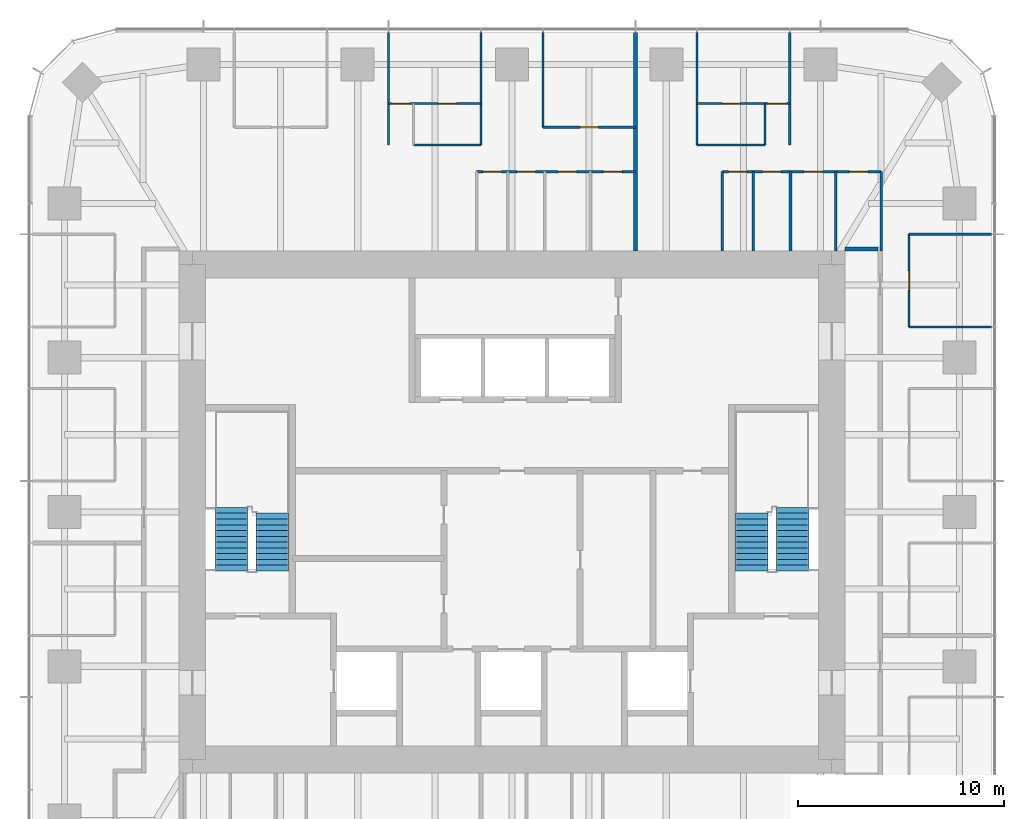
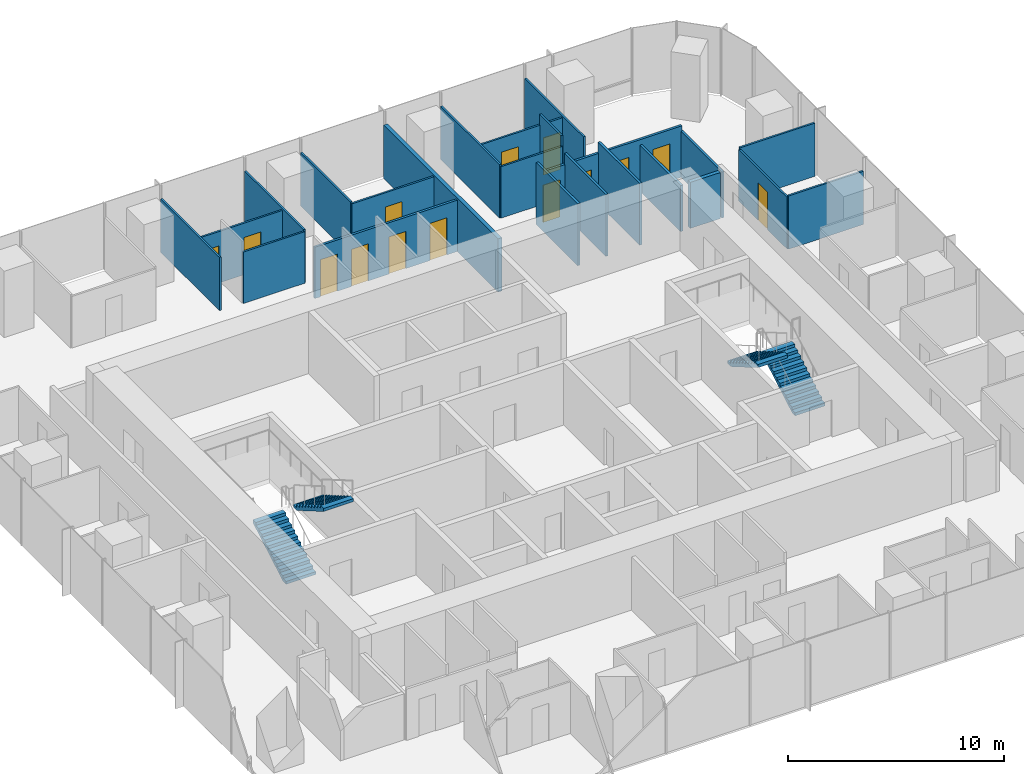
# One storey, part 11 of 12: 23 walls, 14 doors, 4 stair flights, 14 openings, 2 elements without a shape of their own.
"""IFC4 building model written with IfcOpenShell, lengths in metres."""

from ifc_helpers import new_model, si_unit, direction, frame, frame_2d, origin, place, context, subcontext, project, spatial, polyline, rectangle, outline, extrude, material, layer, layer_set, type_object, element, fill, aggregate, save


model = new_model("IFC4")

# Units and contexts
model_context = context("Model", 3, precision=1e-05, world=origin(), true_north=direction((0.0, 1.0)))
body_context = subcontext(model_context, "Body", "Model", "MODEL_VIEW")
ifc_project = project(units=[si_unit("LENGTHUNIT", "METRE"), si_unit("AREAUNIT", "SQUARE_METRE"), si_unit("VOLUMEUNIT", "CUBIC_METRE"), si_unit("PLANEANGLEUNIT", "RADIAN"), si_unit("MASSUNIT", "GRAM", prefix="KILO")], contexts=[model_context])

# Site, building, storey
site_placement = place(None, origin())
site = spatial("IfcSite", under=ifc_project, at=site_placement, CompositionType="ELEMENT")
building_placement = place(site_placement, origin())
building = spatial("IfcBuilding", under=site, at=building_placement, Name="Khuree Lantern Residences", CompositionType="ELEMENT")
storey_placement = place(building_placement, frame((0.0, 0.0, 323.25)))
storey = spatial("IfcBuildingStorey", under=building, at=storey_placement, Name="L81", CompositionType="ELEMENT", Elevation=323.25)

# Wall, openings, doors
ifc_material_1 = material(Name="Moisture-resistant gypsum board on steel studs", Category="steel")
ifc_layer_1 = layer(ifc_material_1, 0.125)
ifc_layer_set_1 = layer_set([ifc_layer_1], Name="BATHROOM WALL BTW125")
wall_type_1 = type_object("IfcWallType", Name="BATHROOM WALL BTW125", PredefinedType="PARTITIONING", material=ifc_layer_set_1)
wall_1_placement = place(storey_placement, frame((17.89990234375, 16.496337890625, 0.0), z_axis=(0.0, 0.0, 1.0), x_axis=(-1.0, 0.0, 0.0)))
wall_1 = element("IfcWall", 1, at=wall_1_placement, inside=storey, type_object=wall_type_1, Name="L81 BATHROOM WALL 01", PredefinedType="PARTITIONING", context=body_context, shape_type="SweptSolid", body=[
    extrude(rectangle(XDim=7.699951171875, YDim=0.125, at=frame_2d((3.85009765625, 0.0))), origin(), (0.0, 0.0, 1.0), 2.89990234375),
])
opening_1_placement = place(wall_1_placement, frame((0.64990234375, 0.0, 0.0)))
opening_1 = element("IfcOpeningElement", 2, at=opening_1_placement, cuts=wall_1, Name="Opening 81-026", PredefinedType="OPENING", context=body_context, shape_type="SweptSolid", body=[
    extrude(rectangle(XDim=0.89990234375, YDim=2.10009765625, at=frame_2d((0.449951171875, 1.050048828125))), frame((0.0, 0.072509765625, 0.0), z_axis=(0.0, -1.0, 0.0), x_axis=(1.0, 0.0, 0.0)), (0.0, 0.0, 1.0), 0.14501953125),
])
opening_2_placement = place(wall_1_placement, frame((2.85009765625, 0.0, 0.0)))
opening_2 = element("IfcOpeningElement", 3, at=opening_2_placement, cuts=wall_1, Name="Opening 81-027", PredefinedType="OPENING", context=body_context, shape_type="SweptSolid", body=[
    extrude(rectangle(XDim=0.89990234375, YDim=2.10009765625, at=frame_2d((0.449951171875, 1.050048828125))), frame((0.0, 0.072509765625, 0.0), z_axis=(0.0, -1.0, 0.0), x_axis=(1.0, 0.0, 0.0)), (0.0, 0.0, 1.0), 0.14501953125),
])
opening_3_placement = place(wall_1_placement, frame((4.85009765625, 0.0, 0.0)))
opening_3 = element("IfcOpeningElement", 4, at=opening_3_placement, cuts=wall_1, Name="Opening 81-028", PredefinedType="OPENING", context=body_context, shape_type="SweptSolid", body=[
    extrude(rectangle(XDim=0.89990234375, YDim=2.10009765625, at=frame_2d((0.449951171875, 1.050048828125))), frame((0.0, 0.072509765625, 0.0), z_axis=(0.0, -1.0, 0.0), x_axis=(1.0, 0.0, 0.0)), (0.0, 0.0, 1.0), 0.14501953125),
])
opening_4_placement = place(wall_1_placement, frame((6.5, 0.0, 0.0)))
opening_4 = element("IfcOpeningElement", 5, at=opening_4_placement, cuts=wall_1, Name="Opening 81-029", PredefinedType="OPENING", context=body_context, shape_type="SweptSolid", body=[
    extrude(rectangle(XDim=0.89990234375, YDim=2.10009765625, at=frame_2d((0.449951171875, 1.050048828125))), frame((0.0, 0.072509765625, 0.0), z_axis=(0.0, -1.0, 0.0), x_axis=(1.0, 0.0, 0.0)), (0.0, 0.0, 1.0), 0.14501953125),
])
ifc_material_2 = material(Name="Timber door leaf in hardwood frame", Category="wood")
door_type_1 = type_object("IfcDoorType", Name="BATHROOM DOOR 900X2100", OperationType="SINGLE_SWING_LEFT", PredefinedType="DOOR", material=ifc_material_2)
door_1_placement = place(opening_1_placement, origin())
door_1 = element("IfcDoor", 6, at=door_1_placement, inside=storey, type_object=door_type_1, Name="Bathroom door 81-026", OperationType="SINGLE_SWING_LEFT", OverallHeight=2.10009765625, OverallWidth=0.89990234375, PredefinedType="DOOR", context=body_context, shape_type="SweptSolid", body=[
    extrude(rectangle(XDim=0.89990234375, YDim=2.10009765625, at=frame_2d((0.449951171875, 1.050048828125))), frame((0.0, 0.02490234375, 0.0), z_axis=(0.0, -1.0, 0.0), x_axis=(1.0, 0.0, 0.0)), (0.0, 0.0, 1.0), 0.050048828125),
])
fill(opening_1, door_1)
door_2_placement = place(opening_2_placement, origin())
door_2 = element("IfcDoor", 7, at=door_2_placement, inside=storey, type_object=door_type_1, Name="Bathroom door 81-027", OperationType="SINGLE_SWING_LEFT", OverallHeight=2.10009765625, OverallWidth=0.89990234375, PredefinedType="DOOR", context=body_context, shape_type="SweptSolid", body=[
    extrude(rectangle(XDim=0.89990234375, YDim=2.10009765625, at=frame_2d((0.449951171875, 1.050048828125))), frame((0.0, 0.02490234375, 0.0), z_axis=(0.0, -1.0, 0.0), x_axis=(1.0, 0.0, 0.0)), (0.0, 0.0, 1.0), 0.050048828125),
])
fill(opening_2, door_2)
door_type_2 = type_object("IfcDoorType", Name="DOOR 900X2100", OperationType="SINGLE_SWING_LEFT", PredefinedType="DOOR", material=ifc_material_2)
door_3_placement = place(opening_3_placement, origin())
door_3 = element("IfcDoor", 8, at=door_3_placement, inside=storey, type_object=door_type_2, Name="Store door 81-028", OperationType="SINGLE_SWING_LEFT", OverallHeight=2.10009765625, OverallWidth=0.89990234375, PredefinedType="DOOR", context=body_context, shape_type="SweptSolid", body=[
    extrude(rectangle(XDim=0.89990234375, YDim=2.10009765625, at=frame_2d((0.449951171875, 1.050048828125))), frame((0.0, 0.02490234375, 0.0), z_axis=(0.0, -1.0, 0.0), x_axis=(1.0, 0.0, 0.0)), (0.0, 0.0, 1.0), 0.050048828125),
])
fill(opening_3, door_3)
door_type_3 = type_object("IfcDoorType", Name="WC DOOR 900X2100", OperationType="SINGLE_SWING_LEFT", PredefinedType="DOOR", material=ifc_material_2)
door_4_placement = place(opening_4_placement, origin())
door_4 = element("IfcDoor", 9, at=door_4_placement, inside=storey, type_object=door_type_3, Name="WC door 81-029", OperationType="SINGLE_SWING_LEFT", OverallHeight=2.10009765625, OverallWidth=0.89990234375, PredefinedType="DOOR", context=body_context, shape_type="SweptSolid", body=[
    extrude(rectangle(XDim=0.89990234375, YDim=2.10009765625, at=frame_2d((0.449951171875, 1.050048828125))), frame((0.0, 0.02490234375, 0.0), z_axis=(0.0, -1.0, 0.0), x_axis=(1.0, 0.0, 0.0)), (0.0, 0.0, 1.0), 0.050048828125),
])
fill(opening_4, door_4)

# Walls
for number, where, z_axis, x_axis, name in (
    (10, (17.89990234375, 12.64990234375, 0.0), (0.0, 0.0, 1.0), (0.0, 1.0, 0.0), "L81 BATHROOM WALL 01"),
    (11, (15.699951171875, 12.64990234375, 0.0), (0.0, 0.0, 1.0), (0.0, 1.0, 0.0), "L81 BATHROOM WALL 01"),
):
    element("IfcWall", number, at=place(storey_placement, frame(where, z_axis=z_axis, x_axis=x_axis)), inside=storey, type_object=wall_type_1, Name=name, PredefinedType="PARTITIONING", context=body_context, shape_type="SweptSolid", body=[
        extrude(rectangle(XDim=3.846435546875, YDim=0.125, at=frame_2d((1.92333984375, 0.0))), origin(), (0.0, 0.0, 1.0), 2.60009765625),
    ])
for number, where, z_axis, x_axis, name in (
    (12, (13.5, 12.64990234375, 0.0), (0.0, 0.0, 1.0), (0.0, 1.0, 0.0), "L81 BATHROOM WALL 01"),
    (13, (11.699951171875, 12.64990234375, 0.0), (0.0, 0.0, 1.0), (0.0, 1.0, 0.0), "L81 BATHROOM WALL 01"),
    (14, (10.199951171875, 12.64990234375, 0.0), (0.0, 0.0, 1.0), (0.0, 1.0, 0.0), "L81 BATHROOM WALL 01"),
):
    element("IfcWall", number, at=place(storey_placement, frame(where, z_axis=z_axis, x_axis=x_axis)), inside=storey, type_object=wall_type_1, Name=name, PredefinedType="PARTITIONING", context=body_context, shape_type="SweptSolid", body=[
        extrude(rectangle(XDim=3.846435546875, YDim=0.125, at=frame_2d((1.92333984375, 0.0))), origin(), (0.0, 0.0, 1.0), 3.5),
    ])

# Wall, openings, doors
wall_2_placement = place(storey_placement, frame((5.98388671875, 16.496337890625, 0.0), z_axis=(0.0, 0.0, 1.0), x_axis=(-1.0, 0.0, 0.0)))
wall_2 = element("IfcWall", 15, at=wall_2_placement, inside=storey, type_object=wall_type_1, Name="L81 BATHROOM WALL 02", PredefinedType="PARTITIONING", context=body_context, shape_type="SweptSolid", body=[
    extrude(rectangle(XDim=7.699951171875, YDim=0.125, at=frame_2d((3.85009765625, 0.0))), origin(), (0.0, 0.0, 1.0), 2.89990234375),
])
opening_5_placement = place(wall_2_placement, frame((0.64990234375, 0.0, 0.0)))
opening_5 = element("IfcOpeningElement", 16, at=opening_5_placement, cuts=wall_2, Name="Opening 81-037", PredefinedType="OPENING", context=body_context, shape_type="SweptSolid", body=[
    extrude(rectangle(XDim=0.89990234375, YDim=2.10009765625, at=frame_2d((0.449951171875, 1.050048828125))), frame((0.0, 0.072509765625, 0.0), z_axis=(0.0, -1.0, 0.0), x_axis=(1.0, 0.0, 0.0)), (0.0, 0.0, 1.0), 0.14501953125),
])
opening_6_placement = place(wall_2_placement, frame((2.85009765625, 0.0, 0.0)))
opening_6 = element("IfcOpeningElement", 17, at=opening_6_placement, cuts=wall_2, Name="Opening 81-038", PredefinedType="OPENING", context=body_context, shape_type="SweptSolid", body=[
    extrude(rectangle(XDim=0.89990234375, YDim=2.10009765625, at=frame_2d((0.449951171875, 1.050048828125))), frame((0.0, 0.072509765625, 0.0), z_axis=(0.0, -1.0, 0.0), x_axis=(1.0, 0.0, 0.0)), (0.0, 0.0, 1.0), 0.14501953125),
])
opening_7_placement = place(wall_2_placement, frame((4.85009765625, 0.0, 0.0)))
opening_7 = element("IfcOpeningElement", 18, at=opening_7_placement, cuts=wall_2, Name="Opening 81-039", PredefinedType="OPENING", context=body_context, shape_type="SweptSolid", body=[
    extrude(rectangle(XDim=0.89990234375, YDim=2.10009765625, at=frame_2d((0.449951171875, 1.050048828125))), frame((0.0, 0.072509765625, 0.0), z_axis=(0.0, -1.0, 0.0), x_axis=(1.0, 0.0, 0.0)), (0.0, 0.0, 1.0), 0.14501953125),
])
opening_8_placement = place(wall_2_placement, frame((6.5, 0.0, 0.0)))
opening_8 = element("IfcOpeningElement", 19, at=opening_8_placement, cuts=wall_2, Name="Opening 81-040", PredefinedType="OPENING", context=body_context, shape_type="SweptSolid", body=[
    extrude(rectangle(XDim=0.89990234375, YDim=2.10009765625, at=frame_2d((0.449951171875, 1.050048828125))), frame((0.0, 0.072509765625, 0.0), z_axis=(0.0, -1.0, 0.0), x_axis=(1.0, 0.0, 0.0)), (0.0, 0.0, 1.0), 0.14501953125),
])
door_5_placement = place(opening_5_placement, origin())
door_5 = element("IfcDoor", 20, at=door_5_placement, inside=storey, type_object=door_type_1, Name="Bathroom door 81-037", OperationType="SINGLE_SWING_LEFT", OverallHeight=2.10009765625, OverallWidth=0.89990234375, PredefinedType="DOOR", context=body_context, shape_type="SweptSolid", body=[
    extrude(rectangle(XDim=0.89990234375, YDim=2.10009765625, at=frame_2d((0.449951171875, 1.050048828125))), frame((0.0, 0.02490234375, 0.0), z_axis=(0.0, -1.0, 0.0), x_axis=(1.0, 0.0, 0.0)), (0.0, 0.0, 1.0), 0.050048828125),
])
fill(opening_5, door_5)
door_6_placement = place(opening_6_placement, origin())
door_6 = element("IfcDoor", 21, at=door_6_placement, inside=storey, type_object=door_type_1, Name="Bathroom door 81-038", OperationType="SINGLE_SWING_LEFT", OverallHeight=2.10009765625, OverallWidth=0.89990234375, PredefinedType="DOOR", context=body_context, shape_type="SweptSolid", body=[
    extrude(rectangle(XDim=0.89990234375, YDim=2.10009765625, at=frame_2d((0.449951171875, 1.050048828125))), frame((0.0, 0.02490234375, 0.0), z_axis=(0.0, -1.0, 0.0), x_axis=(1.0, 0.0, 0.0)), (0.0, 0.0, 1.0), 0.050048828125),
])
fill(opening_6, door_6)
door_7_placement = place(opening_7_placement, origin())
door_7 = element("IfcDoor", 22, at=door_7_placement, inside=storey, type_object=door_type_2, Name="Store door 81-039", OperationType="SINGLE_SWING_LEFT", OverallHeight=2.10009765625, OverallWidth=0.89990234375, PredefinedType="DOOR", context=body_context, shape_type="SweptSolid", body=[
    extrude(rectangle(XDim=0.89990234375, YDim=2.10009765625, at=frame_2d((0.449951171875, 1.050048828125))), frame((0.0, 0.02490234375, 0.0), z_axis=(0.0, -1.0, 0.0), x_axis=(1.0, 0.0, 0.0)), (0.0, 0.0, 1.0), 0.050048828125),
])
fill(opening_7, door_7)
door_8_placement = place(opening_8_placement, origin())
door_8 = element("IfcDoor", 23, at=door_8_placement, inside=storey, type_object=door_type_3, Name="WC door 81-040", OperationType="SINGLE_SWING_LEFT", OverallHeight=2.10009765625, OverallWidth=0.89990234375, PredefinedType="DOOR", context=body_context, shape_type="SweptSolid", body=[
    extrude(rectangle(XDim=0.89990234375, YDim=2.10009765625, at=frame_2d((0.449951171875, 1.050048828125))), frame((0.0, 0.02490234375, 0.0), z_axis=(0.0, -1.0, 0.0), x_axis=(1.0, 0.0, 0.0)), (0.0, 0.0, 1.0), 0.050048828125),
])
fill(opening_8, door_8)

# Walls
ifc_material_3 = material(Name="Gypsum board on steel studs", Category="steel")
ifc_layer_2 = layer(ifc_material_3, 0.199951171875)
ifc_layer_set_2 = layer_set([ifc_layer_2], Name="CORRIDOR WALL CRW200 EI 60")
wall_type_2 = type_object("IfcWallType", Name="CORRIDOR WALL CRW200 EI 60", PredefinedType="PARTITIONING", material=ifc_layer_set_2)
wall_3_placement = place(storey_placement, frame((16.14990234375, 12.75, 0.0), z_axis=(0.0, 0.0, 1.0), x_axis=(1.0, 0.0, 0.0)))
element("IfcWall", 24, at=wall_3_placement, inside=storey, type_object=wall_type_2, Name="L81 EAST CORRIDOR NORTH END WALL", PredefinedType="PARTITIONING", context=body_context, shape_type="SweptSolid", body=[
    extrude(rectangle(XDim=1.60009765625, YDim=0.199951171875, at=frame_2d((0.800048828125, 0.0))), origin(), (0.0, 0.0, 1.0), 2.60009765625),
])
ifc_layer_3 = layer(ifc_material_3, 0.199951171875)
ifc_layer_set_3 = layer_set([ifc_layer_3], Name="DEMISING WALL DMW200 EI 90")
wall_type_3 = type_object("IfcWallType", Name="DEMISING WALL DMW200 EI 90", PredefinedType="PARTITIONING", material=ifc_layer_set_3)
wall_4_placement = place(storey_placement, frame((5.98388671875, 12.64990234375, 0.0), z_axis=(0.0, 0.0, 1.0), x_axis=(0.0, 1.0, 0.0)))
element("IfcWall", 25, at=wall_4_placement, inside=storey, type_object=wall_type_3, Name="L81 DEMISING WALL 02", PredefinedType="PARTITIONING", context=body_context, shape_type="SweptSolid", body=[
    extrude(rectangle(XDim=10.60009765625, YDim=0.199951171875, at=frame_2d((5.300048828125, 0.0))), origin(), (0.0, 0.0, 1.0), 3.010009765625),
])
ifc_layer_4 = layer(ifc_material_3, 0.10009765625)
ifc_layer_set_4 = layer_set([ifc_layer_4], Name="PARTITION PT100")
wall_type_4 = type_object("IfcWallType", Name="PARTITION PT100", PredefinedType="PARTITIONING", material=ifc_layer_set_4)
for number, where, z_axis, x_axis, name in (
    (26, (19.25, 8.97607421875, 0.0), (0.0, 0.0, 1.0), (1.0, 0.0, 0.0), "L81 PARTITION 01"),
    (27, (19.25, 13.464111328125, 0.0), (0.0, 0.0, 1.0), (1.0, 0.0, 0.0), "L81 PARTITION 01"),
):
    element("IfcWall", number, at=place(storey_placement, frame(where, z_axis=z_axis, x_axis=x_axis)), inside=storey, type_object=wall_type_4, Name=name, PredefinedType="PARTITIONING", context=body_context, shape_type="SweptSolid", body=[
        extrude(rectangle(XDim=4.0, YDim=0.10009765625, at=frame_2d((2.0, 0.0))), origin(), (0.0, 0.0, 1.0), 3.010009765625),
    ])
for number, where, z_axis, x_axis, name in (
    (28, (13.464111328125, 17.79638671875, 0.0), (0.0, 0.0, 1.0), (0.0, 1.0, 0.0), "L81 PARTITION 01"),
    (29, (8.97607421875, 17.79638671875, 0.0), (0.0, 0.0, 1.0), (0.0, 1.0, 0.0), "L81 PARTITION 01"),
):
    element("IfcWall", number, at=place(storey_placement, frame(where, z_axis=z_axis, x_axis=x_axis)), inside=storey, type_object=wall_type_4, Name=name, PredefinedType="PARTITIONING", context=body_context, shape_type="SweptSolid", body=[
        extrude(rectangle(XDim=5.45361328125, YDim=0.10009765625, at=frame_2d((2.726806640625, 0.0))), origin(), (0.0, 0.0, 1.0), 3.010009765625),
    ])
wall_5_placement = place(storey_placement, frame((1.49609375, 18.64990234375, 0.0), z_axis=(0.0, 0.0, 1.0), x_axis=(0.0, 1.0, 0.0)))
element("IfcWall", 30, at=wall_5_placement, inside=storey, type_object=wall_type_4, Name="L81 PARTITION 02", PredefinedType="PARTITIONING", context=body_context, shape_type="SweptSolid", body=[
    extrude(rectangle(XDim=4.60009765625, YDim=0.10009765625, at=frame_2d((2.300048828125, 0.0))), origin(), (0.0, 0.0, 1.0), 3.010009765625),
])
for number, where, z_axis, x_axis, name in (
    (31, (-1.49609375, 17.79638671875, 0.0), (0.0, 0.0, 1.0), (0.0, 1.0, 0.0), "L81 PARTITION 02"),
    (32, (-5.98388671875, 17.79638671875, 0.0), (0.0, 0.0, 1.0), (0.0, 1.0, 0.0), "L81 PARTITION 02"),
):
    element("IfcWall", number, at=place(storey_placement, frame(where, z_axis=z_axis, x_axis=x_axis)), inside=storey, type_object=wall_type_4, Name=name, PredefinedType="PARTITIONING", context=body_context, shape_type="SweptSolid", body=[
        extrude(rectangle(XDim=5.45361328125, YDim=0.10009765625, at=frame_2d((2.726806640625, 0.0))), origin(), (0.0, 0.0, 1.0), 3.010009765625),
    ])

# Wall, opening, door
wall_6_placement = place(storey_placement, frame((19.25, 8.97607421875, 0.0), z_axis=(0.0, 0.0, 1.0), x_axis=(0.0, 1.0, 0.0)))
wall_6 = element("IfcWall", 33, at=wall_6_placement, inside=storey, type_object=wall_type_4, Name="L81 PARTITION 01", PredefinedType="PARTITIONING", context=body_context, shape_type="SweptSolid", body=[
    extrude(rectangle(XDim=4.488037109375, YDim=0.10009765625, at=frame_2d((2.244140625, 0.0))), origin(), (0.0, 0.0, 1.0), 2.909912109375),
])
opening_9_placement = place(wall_6_placement, frame((1.7939453125, 0.0, 0.0)))
opening_9 = element("IfcOpeningElement", 34, at=opening_9_placement, cuts=wall_6, Name="Opening 81-023", PredefinedType="OPENING", context=body_context, shape_type="SweptSolid", body=[
    extrude(rectangle(XDim=0.89990234375, YDim=2.10009765625, at=frame_2d((0.449951171875, 1.050048828125))), frame((0.0, 0.06005859375, 0.0), z_axis=(0.0, -1.0, 0.0), x_axis=(1.0, 0.0, 0.0)), (0.0, 0.0, 1.0), 0.1201171875),
])
door_type_4 = type_object("IfcDoorType", Name="BEDROOM DOOR 900X2100", OperationType="SINGLE_SWING_LEFT", PredefinedType="DOOR", material=ifc_material_2)
door_9_placement = place(opening_9_placement, origin())
door_9 = element("IfcDoor", 35, at=door_9_placement, inside=storey, type_object=door_type_4, Name="Bedroom door 81-023", OperationType="SINGLE_SWING_LEFT", OverallHeight=2.10009765625, OverallWidth=0.89990234375, PredefinedType="DOOR", context=body_context, shape_type="SweptSolid", body=[
    extrude(rectangle(XDim=0.89990234375, YDim=2.10009765625, at=frame_2d((0.449951171875, 1.050048828125))), frame((0.0, 0.02490234375, 0.0), z_axis=(0.0, -1.0, 0.0), x_axis=(1.0, 0.0, 0.0)), (0.0, 0.0, 1.0), 0.050048828125),
])
fill(opening_9, door_9)

# Wall, openings, doors
wall_7_placement = place(storey_placement, frame((13.464111328125, 19.79638671875, 0.0), z_axis=(0.0, 0.0, 1.0), x_axis=(-1.0, 0.0, 0.0)))
wall_7 = element("IfcWall", 36, at=wall_7_placement, inside=storey, type_object=wall_type_4, Name="L81 PARTITION 01", PredefinedType="PARTITIONING", context=body_context, shape_type="SweptSolid", body=[
    extrude(rectangle(XDim=4.488037109375, YDim=0.10009765625, at=frame_2d((2.244140625, 0.0))), origin(), (0.0, 0.0, 1.0), 2.909912109375),
])
opening_10_placement = place(wall_7_placement, frame((0.14990234375, 0.0, 0.0)))
opening_10 = element("IfcOpeningElement", 37, at=opening_10_placement, cuts=wall_7, Name="Opening 81-024", PredefinedType="OPENING", context=body_context, shape_type="SweptSolid", body=[
    extrude(rectangle(XDim=0.89990234375, YDim=2.10009765625, at=frame_2d((0.449951171875, 1.050048828125))), frame((0.0, 0.06005859375, 0.0), z_axis=(0.0, -1.0, 0.0), x_axis=(1.0, 0.0, 0.0)), (0.0, 0.0, 1.0), 0.1201171875),
])
opening_11_placement = place(wall_7_placement, frame((2.39404296875, 0.0, 0.0)))
opening_11 = element("IfcOpeningElement", 38, at=opening_11_placement, cuts=wall_7, Name="Opening 81-025", PredefinedType="OPENING", context=body_context, shape_type="SweptSolid", body=[
    extrude(rectangle(XDim=0.89990234375, YDim=2.10009765625, at=frame_2d((0.449951171875, 1.050048828125))), frame((0.0, 0.06005859375, 0.0), z_axis=(0.0, -1.0, 0.0), x_axis=(1.0, 0.0, 0.0)), (0.0, 0.0, 1.0), 0.1201171875),
])
door_10_placement = place(opening_10_placement, origin())
door_10 = element("IfcDoor", 39, at=door_10_placement, inside=storey, type_object=door_type_4, Name="Bedroom door 81-024", OperationType="SINGLE_SWING_LEFT", OverallHeight=2.10009765625, OverallWidth=0.89990234375, PredefinedType="DOOR", context=body_context, shape_type="SweptSolid", body=[
    extrude(rectangle(XDim=0.89990234375, YDim=2.10009765625, at=frame_2d((0.449951171875, 1.050048828125))), frame((0.0, 0.02490234375, 0.0), z_axis=(0.0, -1.0, 0.0), x_axis=(1.0, 0.0, 0.0)), (0.0, 0.0, 1.0), 0.050048828125),
])
fill(opening_10, door_10)
door_11_placement = place(opening_11_placement, origin())
door_11 = element("IfcDoor", 40, at=door_11_placement, inside=storey, type_object=door_type_2, Name="Wardrobe door 81-025", OperationType="SINGLE_SWING_LEFT", OverallHeight=2.10009765625, OverallWidth=0.89990234375, PredefinedType="DOOR", context=body_context, shape_type="SweptSolid", body=[
    extrude(rectangle(XDim=0.89990234375, YDim=2.10009765625, at=frame_2d((0.449951171875, 1.050048828125))), frame((0.0, 0.02490234375, 0.0), z_axis=(0.0, -1.0, 0.0), x_axis=(1.0, 0.0, 0.0)), (0.0, 0.0, 1.0), 0.050048828125),
])
fill(opening_11, door_11)

# Walls
wall_8_placement = place(storey_placement, frame((12.263916015625, 17.79638671875, 0.0), z_axis=(0.0, 0.0, 1.0), x_axis=(0.0, 1.0, 0.0)))
element("IfcWall", 41, at=wall_8_placement, inside=storey, type_object=wall_type_4, Name="L81 PARTITION 01", PredefinedType="PARTITIONING", context=body_context, shape_type="SweptSolid", body=[
    extrude(rectangle(XDim=2.0, YDim=0.10009765625, at=frame_2d((1.0, 0.0))), origin(), (0.0, 0.0, 1.0), 3.5),
])
wall_9_placement = place(storey_placement, frame((12.263916015625, 17.79638671875, 0.0), z_axis=(0.0, 0.0, 1.0), x_axis=(-1.0, 0.0, 0.0)))
element("IfcWall", 42, at=wall_9_placement, inside=storey, type_object=wall_type_4, Name="L81 PARTITION 01", PredefinedType="PARTITIONING", context=body_context, shape_type="SweptSolid", body=[
    extrude(rectangle(XDim=3.287841796875, YDim=0.10009765625, at=frame_2d((1.64404296875, 0.0))), origin(), (0.0, 0.0, 1.0), 2.909912109375),
])

# Wall, opening, door
wall_10_placement = place(storey_placement, frame((5.98388671875, 18.64990234375, 0.0), z_axis=(0.0, 0.0, 1.0), x_axis=(-1.0, 0.0, 0.0)))
wall_10 = element("IfcWall", 43, at=wall_10_placement, inside=storey, type_object=wall_type_4, Name="L81 PARTITION 02", PredefinedType="PARTITIONING", context=body_context, shape_type="SweptSolid", body=[
    extrude(rectangle(XDim=4.48779296875, YDim=0.10009765625, at=frame_2d((2.243896484375, 0.0))), origin(), (0.0, 0.0, 1.0), 2.909912109375),
])
opening_12_placement = place(wall_10_placement, frame((1.7939453125, 0.0, 0.0)))
opening_12 = element("IfcOpeningElement", 44, at=opening_12_placement, cuts=wall_10, Name="Opening 81-031", PredefinedType="OPENING", context=body_context, shape_type="SweptSolid", body=[
    extrude(rectangle(XDim=0.89990234375, YDim=2.10009765625, at=frame_2d((0.449951171875, 1.050048828125))), frame((0.0, 0.06005859375, 0.0), z_axis=(0.0, -1.0, 0.0), x_axis=(1.0, 0.0, 0.0)), (0.0, 0.0, 1.0), 0.1201171875),
])
door_12_placement = place(opening_12_placement, origin())
door_12 = element("IfcDoor", 45, at=door_12_placement, inside=storey, type_object=door_type_4, Name="Bedroom door 81-031", OperationType="SINGLE_SWING_LEFT", OverallHeight=2.10009765625, OverallWidth=0.89990234375, PredefinedType="DOOR", context=body_context, shape_type="SweptSolid", body=[
    extrude(rectangle(XDim=0.89990234375, YDim=2.10009765625, at=frame_2d((0.449951171875, 1.050048828125))), frame((0.0, 0.02490234375, 0.0), z_axis=(0.0, -1.0, 0.0), x_axis=(1.0, 0.0, 0.0)), (0.0, 0.0, 1.0), 0.050048828125),
])
fill(opening_12, door_12)

# Wall, openings, doors
wall_11_placement = place(storey_placement, frame((-1.49609375, 19.79638671875, 0.0), z_axis=(0.0, 0.0, 1.0), x_axis=(-1.0, 0.0, 0.0)))
wall_11 = element("IfcWall", 46, at=wall_11_placement, inside=storey, type_object=wall_type_4, Name="L81 PARTITION 02", PredefinedType="PARTITIONING", context=body_context, shape_type="SweptSolid", body=[
    extrude(rectangle(XDim=4.48779296875, YDim=0.10009765625, at=frame_2d((2.243896484375, 0.0))), origin(), (0.0, 0.0, 1.0), 2.909912109375),
])
opening_13_placement = place(wall_11_placement, frame((3.43798828125, 0.0, 0.0)))
opening_13 = element("IfcOpeningElement", 47, at=opening_13_placement, cuts=wall_11, Name="Opening 81-032", PredefinedType="OPENING", context=body_context, shape_type="SweptSolid", body=[
    extrude(rectangle(XDim=0.89990234375, YDim=2.10009765625, at=frame_2d((0.449951171875, 1.050048828125))), frame((0.0, 0.06005859375, 0.0), z_axis=(0.0, -1.0, 0.0), x_axis=(1.0, 0.0, 0.0)), (0.0, 0.0, 1.0), 0.1201171875),
])
opening_14_placement = place(wall_11_placement, frame((1.194091796875, 0.0, 0.0)))
opening_14 = element("IfcOpeningElement", 48, at=opening_14_placement, cuts=wall_11, Name="Opening 81-033", PredefinedType="OPENING", context=body_context, shape_type="SweptSolid", body=[
    extrude(rectangle(XDim=0.89990234375, YDim=2.10009765625, at=frame_2d((0.449951171875, 1.050048828125))), frame((0.0, 0.06005859375, 0.0), z_axis=(0.0, -1.0, 0.0), x_axis=(1.0, 0.0, 0.0)), (0.0, 0.0, 1.0), 0.1201171875),
])
door_13_placement = place(opening_13_placement, origin())
door_13 = element("IfcDoor", 49, at=door_13_placement, inside=storey, type_object=door_type_4, Name="Bedroom door 81-032", OperationType="SINGLE_SWING_LEFT", OverallHeight=2.10009765625, OverallWidth=0.89990234375, PredefinedType="DOOR", context=body_context, shape_type="SweptSolid", body=[
    extrude(rectangle(XDim=0.89990234375, YDim=2.10009765625, at=frame_2d((0.449951171875, 1.050048828125))), frame((0.0, 0.02490234375, 0.0), z_axis=(0.0, -1.0, 0.0), x_axis=(1.0, 0.0, 0.0)), (0.0, 0.0, 1.0), 0.050048828125),
])
fill(opening_13, door_13)
door_14_placement = place(opening_14_placement, origin())
door_14 = element("IfcDoor", 50, at=door_14_placement, inside=storey, type_object=door_type_2, Name="Wardrobe door 81-033", OperationType="SINGLE_SWING_LEFT", OverallHeight=2.10009765625, OverallWidth=0.89990234375, PredefinedType="DOOR", context=body_context, shape_type="SweptSolid", body=[
    extrude(rectangle(XDim=0.89990234375, YDim=2.10009765625, at=frame_2d((0.449951171875, 1.050048828125))), frame((0.0, 0.02490234375, 0.0), z_axis=(0.0, -1.0, 0.0), x_axis=(1.0, 0.0, 0.0)), (0.0, 0.0, 1.0), 0.050048828125),
])
fill(opening_14, door_14)

# Wall
wall_12_placement = place(storey_placement, frame((-1.49609375, 17.79638671875, 0.0), z_axis=(0.0, 0.0, 1.0), x_axis=(-1.0, 0.0, 0.0)))
element("IfcWall", 51, at=wall_12_placement, inside=storey, type_object=wall_type_4, Name="L81 PARTITION 02", PredefinedType="PARTITIONING", context=body_context, shape_type="SweptSolid", body=[
    extrude(rectangle(XDim=3.287841796875, YDim=0.10009765625, at=frame_2d((1.64404296875, 0.0))), origin(), (0.0, 0.0, 1.0), 2.909912109375),
])

# Stair, stair flights
ifc_material_4 = material(Name="Concrete C40/50", Category="concrete")
stair_type = type_object("IfcStairType", Name="STAIR ST1 HALF TURN 3600", PredefinedType="HALF_TURN_STAIR", material=ifc_material_4)
stair_1_placement = place(storey_placement, origin())
stair_1 = element("IfcStair", 52, at=stair_1_placement, inside=storey, type_object=stair_type, Name="Stair ST1", PredefinedType="HALF_TURN_STAIR")
stair_flight_type = type_object("IfcStairFlightType", Name="STAIR FLIGHT SF1 1600", PredefinedType="STRAIGHT", material=ifc_material_4)
stair_flight_1_placement = place(storey_placement, frame((-13.60009765625, -2.860107421875, 0.0), z_axis=(0.0, 0.0, 1.0), x_axis=(0.0, 1.0, 0.0)))
stair_flight_1 = element("IfcStairFlight", 53, at=stair_flight_1_placement, type_object=stair_flight_type, Name="ST1 flight 1", NumberOfRisers=12, NumberOfTreads=11, PredefinedType="STRAIGHT", RiserHeight=0.163043478, TreadLength=0.28, context=body_context, shape_type="SweptSolid", body=[
    extrude(outline(polyline([(0.0, 0.0), (0.0, 0.1630859375), (0.280029296875, 0.1630859375), (0.280029296875, 0.326171875), (0.56005859375, 0.326171875), (0.56005859375, 0.489013671875), (0.840087890625, 0.489013671875), (0.840087890625, 0.652099609375), (1.1201171875, 0.652099609375), (1.1201171875, 0.815185546875), (1.39990234375, 0.815185546875), (1.39990234375, 0.978271484375), (1.679931640625, 0.978271484375), (1.679931640625, 1.141357421875), (1.9599609375, 1.141357421875), (1.9599609375, 1.304443359375), (2.239990234375, 1.304443359375), (2.239990234375, 1.46728515625), (2.52001953125, 1.46728515625), (2.52001953125, 1.63037109375), (2.800048828125, 1.63037109375), (2.800048828125, 1.79345703125), (3.080078125, 1.79345703125), (3.080078125, 1.95654296875), (3.080078125, 1.6201171875), (0.2978515625, 0.0), (0.0, 0.0)])), frame((0.0, 0.800048828125, 0.0), z_axis=(0.0, -1.0, 0.0), x_axis=(1.0, 0.0, 0.0)), (0.0, 0.0, 1.0), 1.60009765625),
])
stair_flight_2_placement = place(storey_placement, frame((-11.60009765625, -0.06005859375, 1.95654296875), z_axis=(0.0, 0.0, 1.0), x_axis=(0.0, -1.0, 0.0)))
stair_flight_2 = element("IfcStairFlight", 54, at=stair_flight_2_placement, type_object=stair_flight_type, Name="ST1 flight 2", NumberOfRisers=11, NumberOfTreads=10, PredefinedType="STRAIGHT", RiserHeight=0.163043478, TreadLength=0.28, context=body_context, shape_type="SweptSolid", body=[
    extrude(outline(polyline([(0.0, 0.0), (0.0, 0.1630859375), (0.280029296875, 0.1630859375), (0.280029296875, 0.326171875), (0.56005859375, 0.326171875), (0.56005859375, 0.489013671875), (0.840087890625, 0.489013671875), (0.840087890625, 0.652099609375), (1.1201171875, 0.652099609375), (1.1201171875, 0.815185546875), (1.39990234375, 0.815185546875), (1.39990234375, 0.978271484375), (1.679931640625, 0.978271484375), (1.679931640625, 1.141357421875), (1.9599609375, 1.141357421875), (1.9599609375, 1.304443359375), (2.239990234375, 1.304443359375), (2.239990234375, 1.46728515625), (2.52001953125, 1.46728515625), (2.52001953125, 1.63037109375), (2.800048828125, 1.63037109375), (2.800048828125, 1.79345703125), (2.800048828125, 1.45703125), (0.2978515625, 0.0), (0.0, 0.0)])), frame((0.0, 0.800048828125, 0.0), z_axis=(0.0, -1.0, 0.0), x_axis=(1.0, 0.0, 0.0)), (0.0, 0.0, 1.0), 1.60009765625),
])
aggregate(stair_1, [stair_flight_1, stair_flight_2])

stair_2_placement = place(storey_placement, origin())
stair_2 = element("IfcStair", 55, at=stair_2_placement, inside=storey, type_object=stair_type, Name="Stair ST2", PredefinedType="HALF_TURN_STAIR")
stair_flight_3_placement = place(storey_placement, frame((13.60009765625, -2.860107421875, 0.0), z_axis=(0.0, 0.0, 1.0), x_axis=(0.0, 1.0, 0.0)))
stair_flight_3 = element("IfcStairFlight", 56, at=stair_flight_3_placement, type_object=stair_flight_type, Name="ST2 flight 1", NumberOfRisers=12, NumberOfTreads=11, PredefinedType="STRAIGHT", RiserHeight=0.163043478, TreadLength=0.28, context=body_context, shape_type="SweptSolid", body=[
    extrude(outline(polyline([(0.0, 0.0), (0.0, 0.1630859375), (0.280029296875, 0.1630859375), (0.280029296875, 0.326171875), (0.56005859375, 0.326171875), (0.56005859375, 0.489013671875), (0.840087890625, 0.489013671875), (0.840087890625, 0.652099609375), (1.1201171875, 0.652099609375), (1.1201171875, 0.815185546875), (1.39990234375, 0.815185546875), (1.39990234375, 0.978271484375), (1.679931640625, 0.978271484375), (1.679931640625, 1.141357421875), (1.9599609375, 1.141357421875), (1.9599609375, 1.304443359375), (2.239990234375, 1.304443359375), (2.239990234375, 1.46728515625), (2.52001953125, 1.46728515625), (2.52001953125, 1.63037109375), (2.800048828125, 1.63037109375), (2.800048828125, 1.79345703125), (3.080078125, 1.79345703125), (3.080078125, 1.95654296875), (3.080078125, 1.6201171875), (0.2978515625, 0.0), (0.0, 0.0)])), frame((0.0, 0.800048828125, 0.0), z_axis=(0.0, -1.0, 0.0), x_axis=(1.0, 0.0, 0.0)), (0.0, 0.0, 1.0), 1.60009765625),
])
stair_flight_4_placement = place(storey_placement, frame((11.60009765625, -0.06005859375, 1.95654296875), z_axis=(0.0, 0.0, 1.0), x_axis=(0.0, -1.0, 0.0)))
stair_flight_4 = element("IfcStairFlight", 57, at=stair_flight_4_placement, type_object=stair_flight_type, Name="ST2 flight 2", NumberOfRisers=11, NumberOfTreads=10, PredefinedType="STRAIGHT", RiserHeight=0.163043478, TreadLength=0.28, context=body_context, shape_type="SweptSolid", body=[
    extrude(outline(polyline([(0.0, 0.0), (0.0, 0.1630859375), (0.280029296875, 0.1630859375), (0.280029296875, 0.326171875), (0.56005859375, 0.326171875), (0.56005859375, 0.489013671875), (0.840087890625, 0.489013671875), (0.840087890625, 0.652099609375), (1.1201171875, 0.652099609375), (1.1201171875, 0.815185546875), (1.39990234375, 0.815185546875), (1.39990234375, 0.978271484375), (1.679931640625, 0.978271484375), (1.679931640625, 1.141357421875), (1.9599609375, 1.141357421875), (1.9599609375, 1.304443359375), (2.239990234375, 1.304443359375), (2.239990234375, 1.46728515625), (2.52001953125, 1.46728515625), (2.52001953125, 1.63037109375), (2.800048828125, 1.63037109375), (2.800048828125, 1.79345703125), (2.800048828125, 1.45703125), (0.2978515625, 0.0), (0.0, 0.0)])), frame((0.0, 0.800048828125, 0.0), z_axis=(0.0, -1.0, 0.0), x_axis=(1.0, 0.0, 0.0)), (0.0, 0.0, 1.0), 1.60009765625),
])
aggregate(stair_2, [stair_flight_3, stair_flight_4])

save(model, "model.ifc")
